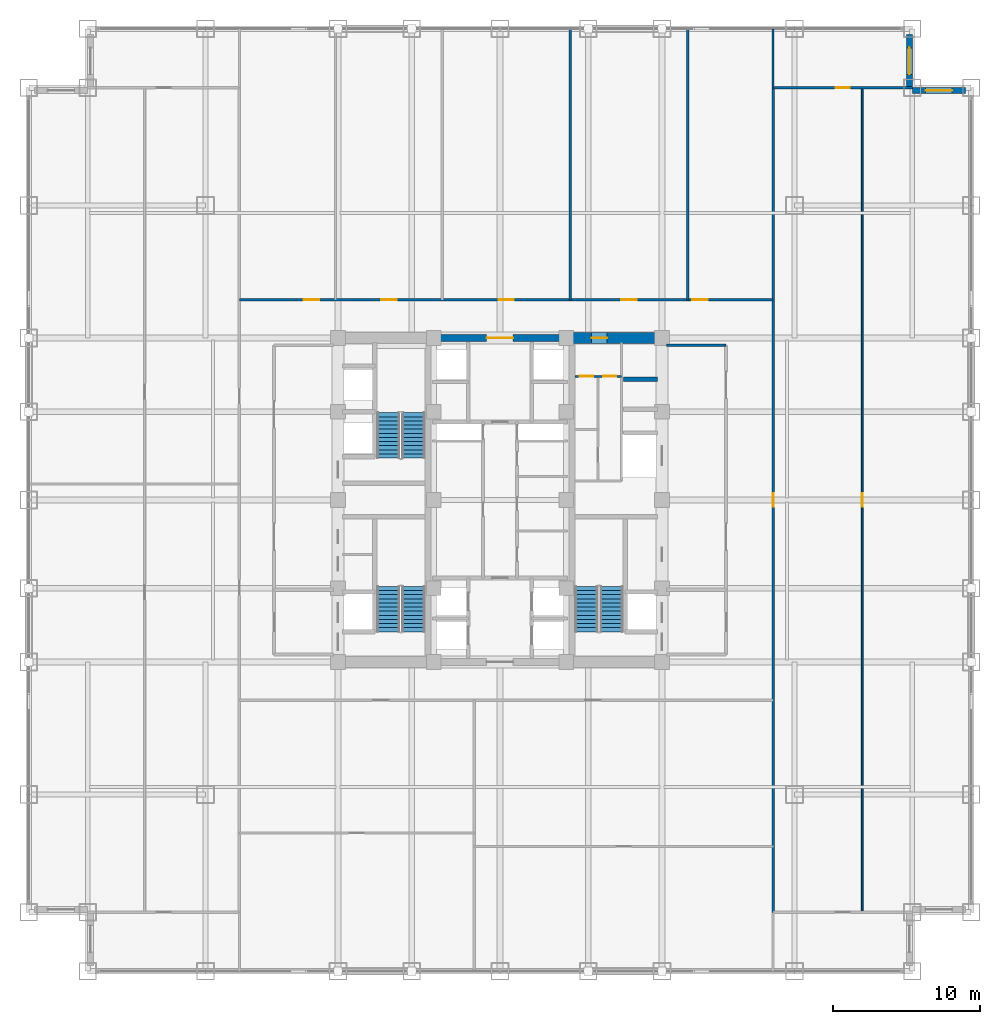
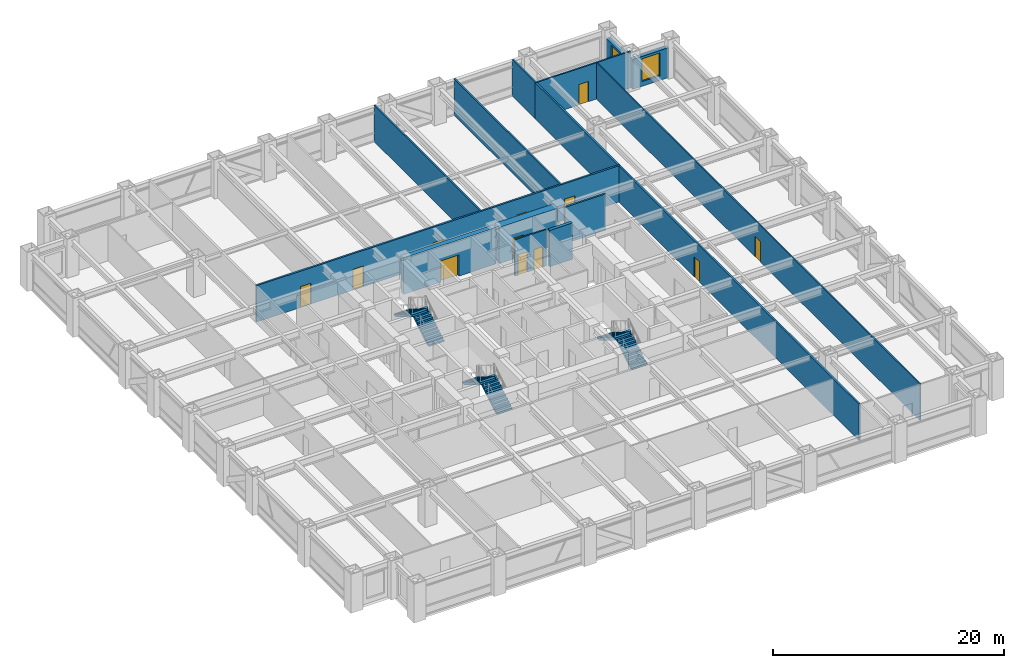
# One storey, part 26 of 27: 14 walls, 12 doors, 6 stair flights, 2 windows, 14 openings, 3 elements without a shape of their own.
"""IFC4 building model written with IfcOpenShell, lengths in metres."""

from ifc_helpers import new_model, si_unit, direction, frame, frame_2d, origin, place, context, subcontext, project, spatial, polyline, rectangle, outline, extrude, source, transform, mapped, material, layer, layer_set, type_object, element, fill, aggregate, save


model = new_model("IFC4")

# Units and contexts
model_context = context("Model", 3, precision=1e-05, world=origin(), true_north=direction((0.0, 1.0)))
body_context = subcontext(model_context, "Body", "Model", "MODEL_VIEW")
ifc_project = project(units=[si_unit("LENGTHUNIT", "METRE"), si_unit("AREAUNIT", "SQUARE_METRE"), si_unit("VOLUMEUNIT", "CUBIC_METRE"), si_unit("PLANEANGLEUNIT", "RADIAN"), si_unit("MASSUNIT", "GRAM", prefix="KILO")], contexts=[model_context])

# Site, building, storey
site_placement = place(None, origin())
site = spatial("IfcSite", under=ifc_project, at=site_placement, CompositionType="ELEMENT")
building_placement = place(site_placement, origin())
building = spatial("IfcBuilding", under=site, at=building_placement, Name="Khorayat Bourse Tower", CompositionType="ELEMENT")
storey_placement = place(building_placement, frame((0.0, 0.0, 140.60009765625)))
storey = spatial("IfcBuildingStorey", under=building, at=storey_placement, Name="L32", CompositionType="ELEMENT", Elevation=140.60009765625)

# Wall, opening, door
ifc_material_1 = material(Name="Concrete C72/90", Category="concrete")
ifc_layer_1 = layer(ifc_material_1, 0.75)
ifc_layer_set_1 = layer_set([ifc_layer_1], Name="Concrete C72/90")
wall_type_1 = type_object("IfcWallType", Name="WAL-CORE-750", PredefinedType="SHEAR", material=ifc_layer_set_1)
shared_shape_1 = source(origin(), body_context, "Body", "SweptSolid", [
    extrude(rectangle(XDim=5.849853515625, YDim=0.75, at=frame_2d((2.9248046875, 0.0))), origin(), (0.0, 0.0, 1.0), 3.83984375),
])
wall_1_placement = place(storey_placement, frame((4.85009765625, 11.0, 0.0), z_axis=(0.0, 0.0, 1.0), x_axis=(1.0, 0.0, 0.0)))
wall_1 = element("IfcWall", 1, at=wall_1_placement, inside=storey, type_object=wall_type_1, Name="L32 Core Shear Wall PIER-EN", PredefinedType="SHEAR", context=body_context, shape_type="MappedRepresentation", body=[
    mapped(shared_shape_1, transform((0.0, 0.0, 0.0), scale=1.0)),
])
shared_shape_2 = source(origin(), body_context, "Body", "SweptSolid", [
    extrude(rectangle(XDim=1.050048828125, YDim=2.199951171875, at=frame_2d((0.52490234375, 1.10009765625))), frame((0.0, 0.385009765625, 0.0), z_axis=(0.0, -1.0, 0.0), x_axis=(1.0, 0.0, 0.0)), (0.0, 0.0, 1.0), 0.77001953125),
])
opening_1_placement = place(wall_1_placement, frame((1.375, 0.0, 0.0)))
opening_1 = element("IfcOpeningElement", 2, at=opening_1_placement, cuts=wall_1, Name="Opening DI-04", PredefinedType="OPENING", context=body_context, shape_type="MappedRepresentation", body=[
    mapped(shared_shape_2, transform((0.0, 0.0, 0.0), scale=1.0)),
])
ifc_material_2 = material(Name="Fire-rated oak veneer suite entrance door")
door_type_1 = type_object("IfcDoorType", Name="DR-INT-SUITE-1050", OperationType="NOTDEFINED", PredefinedType="DOOR", material=ifc_material_2)
shared_shape_3 = source(origin(), body_context, "Body", "SweptSolid", [
    extrude(rectangle(XDim=1.050048828125, YDim=2.199951171875, at=frame_2d((0.52490234375, 1.10009765625))), frame((0.0, 0.02490234375, 0.0), z_axis=(0.0, -1.0, 0.0), x_axis=(1.0, 0.0, 0.0)), (0.0, 0.0, 1.0), 0.050048828125),
])
door_1_placement = place(opening_1_placement, origin())
door_1 = element("IfcDoor", 3, at=door_1_placement, inside=storey, type_object=door_type_1, Name="L32 Core Washroom Lobby Door", OperationType="SINGLE_SWING_LEFT", OverallHeight=2.199951171875, OverallWidth=1.050048828125, PredefinedType="DOOR", context=body_context, shape_type="MappedRepresentation", body=[
    mapped(shared_shape_3, transform((0.0, 0.0, 0.0), scale=1.0)),
])
fill(opening_1, door_1)

ifc_material_3 = material(Name="Concrete C52/65", Category="concrete")
ifc_layer_2 = layer(ifc_material_3, 0.5)
ifc_layer_set_2 = layer_set([ifc_layer_2], Name="Concrete C52/65")
wall_type_2 = type_object("IfcWallType", Name="WAL-CORE-500", PredefinedType="SHEAR", material=ifc_layer_set_2)
shared_shape_4 = source(origin(), body_context, "Body", "SweptSolid", [
    extrude(rectangle(XDim=9.2001953125, YDim=0.5, at=frame_2d((4.60009765625, 0.0))), origin(), (0.0, 0.0, 1.0), 3.83984375),
])
wall_2_placement = place(storey_placement, frame((-4.60009765625, 11.0, 0.0), z_axis=(0.0, 0.0, 1.0), x_axis=(1.0, 0.0, 0.0)))
wall_2 = element("IfcWall", 4, at=wall_2_placement, inside=storey, type_object=wall_type_2, Name="L32 Core Shear Wall CORE-N", PredefinedType="SHEAR", context=body_context, shape_type="MappedRepresentation", body=[
    mapped(shared_shape_4, transform((0.0, 0.0, 0.0), scale=1.0)),
])
shared_shape_5 = source(origin(), body_context, "Body", "SweptSolid", [
    extrude(rectangle(XDim=1.800048828125, YDim=2.25, at=frame_2d((0.89990234375, 1.125))), frame((0.0, 0.260009765625, 0.0), z_axis=(0.0, -1.0, 0.0), x_axis=(1.0, 0.0, 0.0)), (0.0, 0.0, 1.0), 0.52001953125),
])
opening_2_placement = place(wall_2_placement, frame((3.699951171875, 0.0, 0.0)))
opening_2 = element("IfcOpeningElement", 5, at=opening_2_placement, cuts=wall_2, Name="Opening DI-03", PredefinedType="OPENING", context=body_context, shape_type="MappedRepresentation", body=[
    mapped(shared_shape_5, transform((0.0, 0.0, 0.0), scale=1.0)),
])
ifc_material_4 = material(Name="Fire-rated hardwood vision-panel double leaf", Category="wood")
door_type_2 = type_object("IfcDoorType", Name="DR-INT-CORR-1800", OperationType="NOTDEFINED", PredefinedType="DOOR", material=ifc_material_4)
shared_shape_6 = source(origin(), body_context, "Body", "SweptSolid", [
    extrude(rectangle(XDim=1.800048828125, YDim=2.25, at=frame_2d((0.89990234375, 1.125))), frame((0.0, 0.02490234375, 0.0), z_axis=(0.0, -1.0, 0.0), x_axis=(1.0, 0.0, 0.0)), (0.0, 0.0, 1.0), 0.050048828125),
])
door_2_placement = place(opening_2_placement, origin())
door_2 = element("IfcDoor", 6, at=door_2_placement, inside=storey, type_object=door_type_2, Name="L32 Mid-Rise Lift Lobby Door", OperationType="SINGLE_SWING_RIGHT", OverallHeight=2.25, OverallWidth=1.800048828125, PredefinedType="DOOR", context=body_context, shape_type="MappedRepresentation", body=[
    mapped(shared_shape_6, transform((0.0, 0.0, 0.0), scale=1.0)),
])
fill(opening_2, door_2)

# Wall, opening, window
ifc_material_5 = material(Name="Precast concrete C45/55", Category="concrete")
ifc_layer_3 = layer(ifc_material_5, 0.3798828125)
ifc_layer_set_3 = layer_set([ifc_layer_3], Name="Precast concrete C45/55")
wall_type_3 = type_object("IfcWallType", Name="WAL-EXT-STONE-380", PredefinedType="STANDARD", material=ifc_layer_set_3)
shared_shape_7 = source(origin(), body_context, "Body", "SweptSolid", [
    extrude(rectangle(XDim=3.6201171875, YDim=0.3798828125, at=frame_2d((1.81005859375, 0.0))), origin(), (0.0, 0.0, 1.0), 3.14501953125),
])
wall_3_placement = place(storey_placement, frame((28.0, 27.81005859375, 0.0), z_axis=(0.0, 0.0, 1.0), x_axis=(1.0, 0.0, 0.0)))
wall_3 = element("IfcWall", 7, at=wall_3_placement, inside=storey, type_object=wall_type_3, Name="L32 Re-Entrant Notch Limestone Wall NE-H", PredefinedType="STANDARD", context=body_context, shape_type="MappedRepresentation", body=[
    mapped(shared_shape_7, transform((0.0, 0.0, 0.0), scale=1.0)),
])
shared_shape_8 = source(origin(), body_context, "Body", "SweptSolid", [
    extrude(rectangle(XDim=1.800048828125, YDim=2.39990234375, at=frame_2d((0.89990234375, 1.199951171875))), frame((0.0, 0.199951171875, 0.0), z_axis=(0.0, -1.0, 0.0), x_axis=(1.0, 0.0, 0.0)), (0.0, 0.0, 1.0), 0.39990234375),
])
opening_3_placement = place(wall_3_placement, frame((0.909912109375, 0.0, 0.5)))
opening_3 = element("IfcOpeningElement", 8, at=opening_3_placement, cuts=wall_3, Name="Opening WN-04", PredefinedType="OPENING", context=body_context, shape_type="MappedRepresentation", body=[
    mapped(shared_shape_8, transform((0.0, 0.0, 0.0), scale=1.0)),
])
ifc_material_6 = material(Name="Low-E acoustic laminated double glazing", Category="glass")
window_type = type_object("IfcWindowType", Name="WIN-NOTCH-1800x2400", PartitioningType="SINGLE_PANEL", PredefinedType="WINDOW", material=ifc_material_6)
shared_shape_9 = source(origin(), body_context, "Body", "SweptSolid", [
    extrude(rectangle(XDim=1.800048828125, YDim=2.39990234375, at=frame_2d((0.89990234375, 1.199951171875))), frame((0.0, 0.030029296875, 0.0), z_axis=(0.0, -1.0, 0.0), x_axis=(1.0, 0.0, 0.0)), (0.0, 0.0, 1.0), 0.06005859375),
])
window_1_placement = place(opening_3_placement, origin())
window_1 = element("IfcWindow", 9, at=window_1_placement, inside=storey, type_object=window_type, Name="L32 Facade Window 1", OverallHeight=2.39990234375, OverallWidth=1.800048828125, PartitioningType="SINGLE_PANEL", PredefinedType="WINDOW", context=body_context, shape_type="MappedRepresentation", body=[
    mapped(shared_shape_9, transform((0.0, 0.0, 0.0), scale=1.0)),
])
fill(opening_3, window_1)

wall_4_placement = place(storey_placement, frame((27.81005859375, 28.0, 0.0), z_axis=(0.0, 0.0, 1.0), x_axis=(0.0, 1.0, 0.0)))
wall_4 = element("IfcWall", 10, at=wall_4_placement, inside=storey, type_object=wall_type_3, Name="L32 Re-Entrant Notch Limestone Wall NE-V", PredefinedType="STANDARD", context=body_context, shape_type="MappedRepresentation", body=[
    mapped(shared_shape_7, transform((0.0, 0.0, 0.0), scale=1.0)),
])
opening_4_placement = place(wall_4_placement, frame((0.909912109375, 0.0, 0.5)))
opening_4 = element("IfcOpeningElement", 11, at=opening_4_placement, cuts=wall_4, Name="Opening WN-04", PredefinedType="OPENING", context=body_context, shape_type="MappedRepresentation", body=[
    mapped(shared_shape_8, transform((0.0, 0.0, 0.0), scale=1.0)),
])
window_2_placement = place(opening_4_placement, origin())
window_2 = element("IfcWindow", 12, at=window_2_placement, inside=storey, type_object=window_type, Name="L32 Facade Window 1", OverallHeight=2.39990234375, OverallWidth=1.800048828125, PartitioningType="SINGLE_PANEL", PredefinedType="WINDOW", context=body_context, shape_type="MappedRepresentation", body=[
    mapped(shared_shape_9, transform((0.0, 0.0, 0.0), scale=1.0)),
])
fill(opening_4, window_2)

# Wall
ifc_material_7 = material(Name="Concrete C50/60", Category="concrete")
ifc_layer_4 = layer(ifc_material_7, 0.300048828125)
ifc_layer_set_4 = layer_set([ifc_layer_4], Name="Concrete C50/60")
wall_type_4 = type_object("IfcWallType", Name="WAL-SHAFT-300", PredefinedType="SHEAR", material=ifc_layer_set_4)
shared_shape_10 = source(origin(), body_context, "Body", "SweptSolid", [
    extrude(rectangle(XDim=2.300048828125, YDim=0.300048828125, at=frame_2d((1.14990234375, 0.0))), origin(), (0.0, 0.0, 1.0), 3.83984375),
])
wall_5_placement = place(storey_placement, frame((8.39990234375, 8.199951171875, 0.0), z_axis=(0.0, 0.0, 1.0), x_axis=(1.0, 0.0, 0.0)))
element("IfcWall", 13, at=wall_5_placement, inside=storey, type_object=wall_type_4, Name="L32 Partition WAL-L32-EPIER-H34", PredefinedType="SHEAR", context=body_context, shape_type="MappedRepresentation", body=[
    mapped(shared_shape_10, transform((0.0, 0.0, 0.0), scale=1.0)),
])

# Wall, openings, doors
ifc_material_8 = material(Name="Moisture-resistant masonry partition", Category="masonry")
ifc_layer_5 = layer(ifc_material_8, 0.139892578125)
ifc_layer_set_5 = layer_set([ifc_layer_5], Name="Moisture-resistant masonry partition")
wall_type_5 = type_object("IfcWallType", Name="WAL-PART-WET-140", PredefinedType="PARTITIONING", material=ifc_layer_set_5)
shared_shape_11 = source(origin(), body_context, "Body", "SweptSolid", [
    extrude(rectangle(XDim=3.14990234375, YDim=0.139892578125, at=frame_2d((1.574951171875, 0.0))), origin(), (0.0, 0.0, 1.0), 3.83984375),
])
wall_6_placement = place(storey_placement, frame((5.10009765625, 8.39990234375, 0.0), z_axis=(0.0, 0.0, 1.0), x_axis=(1.0, 0.0, 0.0)))
wall_6 = element("IfcWall", 14, at=wall_6_placement, inside=storey, type_object=wall_type_5, Name="L32 Partition WAL-L32-ECW-TOP", PredefinedType="PARTITIONING", context=body_context, shape_type="MappedRepresentation", body=[
    mapped(shared_shape_11, transform((0.0, 0.0, 0.0), scale=1.0)),
])
shared_shape_12 = source(origin(), body_context, "Body", "SweptSolid", [
    extrude(rectangle(XDim=0.89990234375, YDim=2.14990234375, at=frame_2d((0.449951171875, 1.074951171875))), frame((0.0, 0.079833984375, 0.0), z_axis=(0.0, -1.0, 0.0), x_axis=(1.0, 0.0, 0.0)), (0.0, 0.0, 1.0), 0.159912109375),
])
opening_5_placement = place(wall_6_placement, frame((0.330078125, 0.0, 0.0)))
opening_5 = element("IfcOpeningElement", 15, at=opening_5_placement, cuts=wall_6, Name="Opening DI-06", PredefinedType="OPENING", context=body_context, shape_type="MappedRepresentation", body=[
    mapped(shared_shape_12, transform((0.0, 0.0, 0.0), scale=1.0)),
])
opening_6_placement = place(wall_6_placement, frame((1.89990234375, 0.0, 0.0)))
opening_6 = element("IfcOpeningElement", 16, at=opening_6_placement, cuts=wall_6, Name="Opening DI-06", PredefinedType="OPENING", context=body_context, shape_type="MappedRepresentation", body=[
    mapped(shared_shape_12, transform((0.0, 0.0, 0.0), scale=1.0)),
])
ifc_material_9 = material(Name="Moisture-resistant laminate washroom door")
door_type_3 = type_object("IfcDoorType", Name="DR-INT-WC-900", OperationType="NOTDEFINED", PredefinedType="DOOR", material=ifc_material_9)
shared_shape_13 = source(origin(), body_context, "Body", "SweptSolid", [
    extrude(rectangle(XDim=0.89990234375, YDim=2.14990234375, at=frame_2d((0.449951171875, 1.074951171875))), frame((0.0, 0.02490234375, 0.0), z_axis=(0.0, -1.0, 0.0), x_axis=(1.0, 0.0, 0.0)), (0.0, 0.0, 1.0), 0.050048828125),
])
door_3_placement = place(opening_5_placement, origin())
door_3 = element("IfcDoor", 17, at=door_3_placement, inside=storey, type_object=door_type_3, Name="L32 Accessible WC Door", OperationType="SINGLE_SWING_LEFT", OverallHeight=2.14990234375, OverallWidth=0.89990234375, PredefinedType="DOOR", context=body_context, shape_type="MappedRepresentation", body=[
    mapped(shared_shape_13, transform((0.0, 0.0, 0.0), scale=1.0)),
])
fill(opening_5, door_3)
door_4_placement = place(opening_6_placement, origin())
door_4 = element("IfcDoor", 18, at=door_4_placement, inside=storey, type_object=door_type_3, Name="L32 Shared Washroom Door", OperationType="SINGLE_SWING_RIGHT", OverallHeight=2.14990234375, OverallWidth=0.89990234375, PredefinedType="DOOR", context=body_context, shape_type="MappedRepresentation", body=[
    mapped(shared_shape_13, transform((0.0, 0.0, 0.0), scale=1.0)),
])
fill(opening_6, door_4)

# Walls
ifc_material_10 = material(Name="Gypsum plasterboard acoustic stud wall")
ifc_layer_6 = layer(ifc_material_10, 0.179931640625)
ifc_layer_set_6 = layer_set([ifc_layer_6], Name="Gypsum plasterboard acoustic stud wall")
wall_type_6 = type_object("IfcWallType", Name="WAL-PART-CORR-180", PredefinedType="PARTITIONING", material=ifc_layer_set_6)
shared_shape_14 = source(origin(), body_context, "Body", "SweptSolid", [
    extrude(rectangle(XDim=4.050048828125, YDim=0.179931640625, at=frame_2d((2.02490234375, 0.0))), origin(), (0.0, 0.0, 1.0), 3.83984375),
])
wall_7_placement = place(storey_placement, frame((11.300048828125, 10.5, 0.0), z_axis=(0.0, 0.0, 1.0), x_axis=(1.0, 0.0, 0.0)))
element("IfcWall", 19, at=wall_7_placement, inside=storey, type_object=wall_type_6, Name="L32 Partition WAL-L32-ELOB-N", PredefinedType="PARTITIONING", context=body_context, shape_type="MappedRepresentation", body=[
    mapped(shared_shape_14, transform((0.0, 0.0, 0.0), scale=1.0)),
])
ifc_material_11 = material(Name="Gypsum plasterboard twin-frame partition")
ifc_layer_7 = layer(ifc_material_11, 0.14990234375)
ifc_layer_set_7 = layer_set([ifc_layer_7], Name="Gypsum plasterboard twin-frame partition")
wall_type_7 = type_object("IfcWallType", Name="WAL-PART-SUITE-150", PredefinedType="PARTITIONING", material=ifc_layer_set_7)
shared_shape_15 = source(origin(), body_context, "Body", "SweptSolid", [
    extrude(rectangle(XDim=4.0, YDim=0.14990234375, at=frame_2d((2.0, 0.0))), origin(), (0.0, 0.0, 1.0), 3.83984375),
])
wall_8_placement = place(storey_placement, frame((18.550048828125, 28.0, 0.0), z_axis=(0.0, 0.0, 1.0), x_axis=(0.0, 1.0, 0.0)))
element("IfcWall", 20, at=wall_8_placement, inside=storey, type_object=wall_type_7, Name="L32 Partition WAL-L32-NCE-END", PredefinedType="PARTITIONING", context=body_context, shape_type="MappedRepresentation", body=[
    mapped(shared_shape_15, transform((0.0, 0.0, 0.0), scale=1.0)),
])

# Wall, opening, door
shared_shape_16 = source(origin(), body_context, "Body", "SweptSolid", [
    extrude(rectangle(XDim=56.0, YDim=0.179931640625, at=frame_2d((28.0, 0.0))), origin(), (0.0, 0.0, 1.0), 3.83984375),
])
wall_9_placement = place(storey_placement, frame((18.550048828125, -28.0, 0.0), z_axis=(0.0, 0.0, 1.0), x_axis=(0.0, 1.0, 0.0)))
wall_9 = element("IfcWall", 21, at=wall_9_placement, inside=storey, type_object=wall_type_6, Name="L32 Partition WAL-L32-ECORR", PredefinedType="PARTITIONING", context=body_context, shape_type="MappedRepresentation", body=[
    mapped(shared_shape_16, transform((0.0, 0.0, 0.0), scale=1.0)),
])
shared_shape_17 = source(origin(), body_context, "Body", "SweptSolid", [
    extrude(rectangle(XDim=0.949951171875, YDim=2.14990234375, at=frame_2d((0.47509765625, 1.074951171875))), frame((0.0, 0.099853515625, 0.0), z_axis=(0.0, -1.0, 0.0), x_axis=(1.0, 0.0, 0.0)), (0.0, 0.0, 1.0), 0.199951171875),
])
opening_7_placement = place(wall_9_placement, frame((27.52490234375, 0.0, 0.0)))
opening_7 = element("IfcOpeningElement", 22, at=opening_7_placement, cuts=wall_9, Name="Opening DI-05", PredefinedType="OPENING", context=body_context, shape_type="MappedRepresentation", body=[
    mapped(shared_shape_17, transform((0.0, 0.0, 0.0), scale=1.0)),
])
ifc_material_12 = material(Name="Acoustic oak veneer office door")
door_type_4 = type_object("IfcDoorType", Name="DR-INT-OFFICE-950", OperationType="NOTDEFINED", PredefinedType="DOOR", material=ifc_material_12)
shared_shape_18 = source(origin(), body_context, "Body", "SweptSolid", [
    extrude(rectangle(XDim=0.949951171875, YDim=2.14990234375, at=frame_2d((0.47509765625, 1.074951171875))), frame((0.0, 0.02490234375, 0.0), z_axis=(0.0, -1.0, 0.0), x_axis=(1.0, 0.0, 0.0)), (0.0, 0.0, 1.0), 0.050048828125),
])
door_5_placement = place(opening_7_placement, origin())
door_5 = element("IfcDoor", 23, at=door_5_placement, inside=storey, type_object=door_type_4, Name="L32 Clearing Operations Office E1 Door", OperationType="SINGLE_SWING_RIGHT", OverallHeight=2.14990234375, OverallWidth=0.949951171875, PredefinedType="DOOR", context=body_context, shape_type="MappedRepresentation", body=[
    mapped(shared_shape_18, transform((0.0, 0.0, 0.0), scale=1.0)),
])
fill(opening_7, door_5)

# Walls
shared_shape_19 = source(origin(), body_context, "Body", "SweptSolid", [
    extrude(rectangle(XDim=18.39990234375, YDim=0.14990234375, at=frame_2d((9.199951171875, 0.0))), origin(), (0.0, 0.0, 1.0), 3.83984375),
])
for number, where, z_axis, x_axis, name in (
    (24, (4.77490234375, 13.60009765625, 0.0), (0.0, 0.0, 1.0), (0.0, 1.0, 0.0), "L32 Partition WAL-L32-NDV-3"),
    (25, (12.75, 13.60009765625, 0.0), (0.0, 0.0, 1.0), (0.0, 1.0, 0.0), "L32 Partition WAL-L32-NDV-4"),
):
    element("IfcWall", number, at=place(storey_placement, frame(where, z_axis=z_axis, x_axis=x_axis)), inside=storey, type_object=wall_type_7, Name=name, PredefinedType="PARTITIONING", context=body_context, shape_type="MappedRepresentation", body=[
        mapped(shared_shape_19, transform((0.0, 0.0, 0.0), scale=1.0)),
    ])

# Wall, openings, doors
shared_shape_20 = source(origin(), body_context, "Body", "SweptSolid", [
    extrude(rectangle(XDim=36.25, YDim=0.179931640625, at=frame_2d((18.125, 0.0))), origin(), (0.0, 0.0, 1.0), 3.83984375),
])
wall_10_placement = place(storey_placement, frame((-17.699951171875, 13.60009765625, 0.0), z_axis=(0.0, 0.0, 1.0), x_axis=(1.0, 0.0, 0.0)))
wall_10 = element("IfcWall", 26, at=wall_10_placement, inside=storey, type_object=wall_type_6, Name="L32 Partition WAL-L32-NCORR", PredefinedType="PARTITIONING", context=body_context, shape_type="MappedRepresentation", body=[
    mapped(shared_shape_20, transform((0.0, 0.0, 0.0), scale=1.0)),
])
shared_shape_21 = source(origin(), body_context, "Body", "SweptSolid", [
    extrude(rectangle(XDim=1.050048828125, YDim=2.199951171875, at=frame_2d((0.52490234375, 1.10009765625))), frame((0.0, 0.099853515625, 0.0), z_axis=(0.0, -1.0, 0.0), x_axis=(1.0, 0.0, 0.0)), (0.0, 0.0, 1.0), 0.199951171875),
])
opening_8_placement = place(wall_10_placement, frame((4.387451171875, 0.0, 0.0)))
opening_8 = element("IfcOpeningElement", 27, at=opening_8_placement, cuts=wall_10, Name="Opening DI-04", PredefinedType="OPENING", context=body_context, shape_type="MappedRepresentation", body=[
    mapped(shared_shape_21, transform((0.0, 0.0, 0.0), scale=1.0)),
])
opening_9_placement = place(wall_10_placement, frame((9.625, 0.0, 0.0)))
opening_9 = element("IfcOpeningElement", 28, at=opening_9_placement, cuts=wall_10, Name="Opening DI-04", PredefinedType="OPENING", context=body_context, shape_type="MappedRepresentation", body=[
    mapped(shared_shape_21, transform((0.0, 0.0, 0.0), scale=1.0)),
])
opening_10_placement = place(wall_10_placement, frame((17.60009765625, 0.0, 0.0)))
opening_10 = element("IfcOpeningElement", 29, at=opening_10_placement, cuts=wall_10, Name="Opening DI-04", PredefinedType="OPENING", context=body_context, shape_type="MappedRepresentation", body=[
    mapped(shared_shape_21, transform((0.0, 0.0, 0.0), scale=1.0)),
])
opening_11_placement = place(wall_10_placement, frame((25.9375, 0.0, 0.0)))
opening_11 = element("IfcOpeningElement", 30, at=opening_11_placement, cuts=wall_10, Name="Opening DI-04", PredefinedType="OPENING", context=body_context, shape_type="MappedRepresentation", body=[
    mapped(shared_shape_21, transform((0.0, 0.0, 0.0), scale=1.0)),
])
opening_12_placement = place(wall_10_placement, frame((30.75, 0.0, 0.0)))
opening_12 = element("IfcOpeningElement", 31, at=opening_12_placement, cuts=wall_10, Name="Opening DI-04", PredefinedType="OPENING", context=body_context, shape_type="MappedRepresentation", body=[
    mapped(shared_shape_21, transform((0.0, 0.0, 0.0), scale=1.0)),
])
door_6_placement = place(opening_8_placement, origin())
door_6 = element("IfcDoor", 32, at=door_6_placement, inside=storey, type_object=door_type_1, Name="L32 Financial Training Classroom N1 Door", OperationType="SINGLE_SWING_RIGHT", OverallHeight=2.199951171875, OverallWidth=1.050048828125, PredefinedType="DOOR", context=body_context, shape_type="MappedRepresentation", body=[
    mapped(shared_shape_3, transform((0.0, 0.0, 0.0), scale=1.0)),
])
fill(opening_8, door_6)
door_7_placement = place(opening_9_placement, origin())
door_7 = element("IfcDoor", 33, at=door_7_placement, inside=storey, type_object=door_type_1, Name="L32 Brokerage Seminar Room N2 Door", OperationType="SINGLE_SWING_LEFT", OverallHeight=2.199951171875, OverallWidth=1.050048828125, PredefinedType="DOOR", context=body_context, shape_type="MappedRepresentation", body=[
    mapped(shared_shape_3, transform((0.0, 0.0, 0.0), scale=1.0)),
])
fill(opening_9, door_7)
door_8_placement = place(opening_10_placement, origin())
door_8 = element("IfcDoor", 34, at=door_8_placement, inside=storey, type_object=door_type_1, Name="L32 Market Reference Library N3 Door", OperationType="SINGLE_SWING_RIGHT", OverallHeight=2.199951171875, OverallWidth=1.050048828125, PredefinedType="DOOR", context=body_context, shape_type="MappedRepresentation", body=[
    mapped(shared_shape_3, transform((0.0, 0.0, 0.0), scale=1.0)),
])
fill(opening_10, door_8)
door_9_placement = place(opening_11_placement, origin())
door_9 = element("IfcDoor", 35, at=door_9_placement, inside=storey, type_object=door_type_1, Name="L32 Issuer Listing Showroom N4 Door", OperationType="SINGLE_SWING_LEFT", OverallHeight=2.199951171875, OverallWidth=1.050048828125, PredefinedType="DOOR", context=body_context, shape_type="MappedRepresentation", body=[
    mapped(shared_shape_3, transform((0.0, 0.0, 0.0), scale=1.0)),
])
fill(opening_11, door_9)
door_10_placement = place(opening_12_placement, origin())
door_10 = element("IfcDoor", 36, at=door_10_placement, inside=storey, type_object=door_type_1, Name="L32 Staff Tea Pantry N5 Door", OperationType="SINGLE_SWING_RIGHT", OverallHeight=2.199951171875, OverallWidth=1.050048828125, PredefinedType="DOOR", context=body_context, shape_type="MappedRepresentation", body=[
    mapped(shared_shape_3, transform((0.0, 0.0, 0.0), scale=1.0)),
])
fill(opening_12, door_10)

# Wall, opening, door
shared_shape_22 = source(origin(), body_context, "Body", "SweptSolid", [
    extrude(rectangle(XDim=9.449951171875, YDim=0.14990234375, at=frame_2d((4.72509765625, 0.0))), origin(), (0.0, 0.0, 1.0), 3.83984375),
])
wall_11_placement = place(storey_placement, frame((18.550048828125, 28.0, 0.0), z_axis=(0.0, 0.0, 1.0), x_axis=(1.0, 0.0, 0.0)))
wall_11 = element("IfcWall", 37, at=wall_11_placement, inside=storey, type_object=wall_type_7, Name="L32 Partition WAL-L32-CNE", PredefinedType="PARTITIONING", context=body_context, shape_type="MappedRepresentation", body=[
    mapped(shared_shape_22, transform((0.0, 0.0, 0.0), scale=1.0)),
])
shared_shape_23 = source(origin(), body_context, "Body", "SweptSolid", [
    extrude(rectangle(XDim=0.949951171875, YDim=2.14990234375, at=frame_2d((0.47509765625, 1.074951171875))), frame((0.0, 0.0849609375, 0.0), z_axis=(0.0, -1.0, 0.0), x_axis=(1.0, 0.0, 0.0)), (0.0, 0.0, 1.0), 0.169921875),
])
opening_13_placement = place(wall_11_placement, frame((4.25, 0.0, 0.0)))
opening_13 = element("IfcOpeningElement", 38, at=opening_13_placement, cuts=wall_11, Name="Opening DI-05", PredefinedType="OPENING", context=body_context, shape_type="MappedRepresentation", body=[
    mapped(shared_shape_23, transform((0.0, 0.0, 0.0), scale=1.0)),
])
door_11_placement = place(opening_13_placement, origin())
door_11 = element("IfcDoor", 39, at=door_11_placement, inside=storey, type_object=door_type_4, Name="L32 North-East Corner Lounge Door", OperationType="SINGLE_SWING_LEFT", OverallHeight=2.14990234375, OverallWidth=0.949951171875, PredefinedType="DOOR", context=body_context, shape_type="MappedRepresentation", body=[
    mapped(shared_shape_18, transform((0.0, 0.0, 0.0), scale=1.0)),
])
fill(opening_13, door_11)

ifc_material_13 = material(Name="Gypsum plasterboard partition")
ifc_layer_8 = layer(ifc_material_13, 0.125)
ifc_layer_set_8 = layer_set([ifc_layer_8], Name="Gypsum plasterboard partition")
wall_type_8 = type_object("IfcWallType", Name="WAL-PART-ROOM-125", PredefinedType="PARTITIONING", material=ifc_layer_set_8)
shared_shape_24 = source(origin(), body_context, "Body", "SweptSolid", [
    extrude(rectangle(XDim=56.0, YDim=0.125, at=frame_2d((28.0, 0.0))), origin(), (0.0, 0.0, 1.0), 3.83984375),
])
wall_12_placement = place(storey_placement, frame((24.6025390625, -28.0, 0.0), z_axis=(0.0, 0.0, 1.0), x_axis=(0.0, 1.0, 0.0)))
wall_12 = element("IfcWall", 40, at=wall_12_placement, inside=storey, type_object=wall_type_8, Name="L32 Partition WAL-L32-EDP-1", PredefinedType="PARTITIONING", context=body_context, shape_type="MappedRepresentation", body=[
    mapped(shared_shape_24, transform((0.0, 0.0, 0.0), scale=1.0)),
])
shared_shape_25 = source(origin(), body_context, "Body", "SweptSolid", [
    extrude(rectangle(XDim=0.949951171875, YDim=2.14990234375, at=frame_2d((0.47509765625, 1.074951171875))), frame((0.0, 0.072509765625, 0.0), z_axis=(0.0, -1.0, 0.0), x_axis=(1.0, 0.0, 0.0)), (0.0, 0.0, 1.0), 0.14501953125),
])
opening_14_placement = place(wall_12_placement, frame((27.52490234375, 0.0, 0.0)))
opening_14 = element("IfcOpeningElement", 41, at=opening_14_placement, cuts=wall_12, Name="Opening DI-05", PredefinedType="OPENING", context=body_context, shape_type="MappedRepresentation", body=[
    mapped(shared_shape_25, transform((0.0, 0.0, 0.0), scale=1.0)),
])
door_12_placement = place(opening_14_placement, origin())
door_12 = element("IfcDoor", 42, at=door_12_placement, inside=storey, type_object=door_type_4, Name="L32 Market Risk Analytics Workspace E1B Door", OperationType="SINGLE_SWING_RIGHT", OverallHeight=2.14990234375, OverallWidth=0.949951171875, PredefinedType="DOOR", context=body_context, shape_type="MappedRepresentation", body=[
    mapped(shared_shape_18, transform((0.0, 0.0, 0.0), scale=1.0)),
])
fill(opening_14, door_12)

# Stair, stair flights
ifc_material_14 = material(Name="Concrete C40/50", Category="concrete")
stair_type = type_object("IfcStairType", Name="STR-CORE-1550", PredefinedType="HALF_TURN_STAIR", material=ifc_material_14)
stair_1_placement = place(storey_placement, origin())
stair_1 = element("IfcStair", 43, at=stair_1_placement, inside=storey, type_object=stair_type, Name="L32 Exit Stair ST-1", PredefinedType="HALF_TURN_STAIR")
stair_flight_type = type_object("IfcStairFlightType", Name="FLT-CORE-1550", PredefinedType="STRAIGHT", material=ifc_material_14)
shared_shape_26 = source(origin(), body_context, "Body", "SweptSolid", [
    extrude(outline(polyline([(0.0, 0.0), (0.0, 0.1708984375), (0.280029296875, 0.1708984375), (0.280029296875, 0.341552734375), (0.56005859375, 0.341552734375), (0.56005859375, 0.512451171875), (0.840087890625, 0.512451171875), (0.840087890625, 0.683349609375), (1.1201171875, 0.683349609375), (1.1201171875, 0.854248046875), (1.39990234375, 0.854248046875), (1.39990234375, 1.02490234375), (1.679931640625, 1.02490234375), (1.679931640625, 1.19580078125), (1.9599609375, 1.19580078125), (1.9599609375, 1.36669921875), (2.239990234375, 1.36669921875), (2.239990234375, 1.53759765625), (2.52001953125, 1.53759765625), (2.52001953125, 1.708251953125), (2.800048828125, 1.708251953125), (2.800048828125, 1.879150390625), (3.080078125, 1.879150390625), (3.080078125, 2.050048828125), (3.080078125, 1.66845703125), (0.345458984375, 0.0), (0.0, 0.0)])), frame((0.0, 0.77490234375, 0.0), z_axis=(0.0, -1.0, 0.0), x_axis=(1.0, 0.0, 0.0)), (0.0, 0.0, 1.0), 1.550048828125),
])
stair_flight_1_placement = place(storey_placement, frame((-5.875, -8.949951171875, 0.0), z_axis=(0.0, 0.0, 1.0), x_axis=(0.0, 1.0, 0.0)))
stair_flight_1 = element("IfcStairFlight", 44, at=stair_flight_1_placement, type_object=stair_flight_type, Name="ST-1 flight 1", NumberOfRisers=12, NumberOfTreads=11, PredefinedType="STRAIGHT", RiserHeight=0.170833333, TreadLength=0.28, context=body_context, shape_type="MappedRepresentation", body=[
    mapped(shared_shape_26, transform((0.0, 0.0, 0.0), scale=1.0)),
])
stair_flight_2_placement = place(storey_placement, frame((-7.574951171875, -5.8701171875, 2.0498046875), z_axis=(0.0, 0.0, 1.0), x_axis=(0.0, -1.0, 0.0)))
stair_flight_2 = element("IfcStairFlight", 45, at=stair_flight_2_placement, type_object=stair_flight_type, Name="ST-1 flight 2", NumberOfRisers=12, NumberOfTreads=11, PredefinedType="STRAIGHT", RiserHeight=0.170833333, TreadLength=0.28, context=body_context, shape_type="MappedRepresentation", body=[
    mapped(shared_shape_26, transform((0.0, 0.0, 0.0), scale=1.0)),
])
aggregate(stair_1, [stair_flight_1, stair_flight_2])

stair_2_placement = place(storey_placement, origin())
stair_2 = element("IfcStair", 46, at=stair_2_placement, inside=storey, type_object=stair_type, Name="L32 Exit Stair ST-2", PredefinedType="HALF_TURN_STAIR")
stair_flight_3_placement = place(storey_placement, frame((-5.875, 2.85009765625, 0.0), z_axis=(0.0, 0.0, 1.0), x_axis=(0.0, 1.0, 0.0)))
stair_flight_3 = element("IfcStairFlight", 47, at=stair_flight_3_placement, type_object=stair_flight_type, Name="ST-2 flight 1", NumberOfRisers=12, NumberOfTreads=11, PredefinedType="STRAIGHT", RiserHeight=0.170833333, TreadLength=0.28, context=body_context, shape_type="MappedRepresentation", body=[
    mapped(shared_shape_26, transform((0.0, 0.0, 0.0), scale=1.0)),
])
stair_flight_4_placement = place(storey_placement, frame((-7.574951171875, 5.929931640625, 2.0498046875), z_axis=(0.0, 0.0, 1.0), x_axis=(0.0, -1.0, 0.0)))
stair_flight_4 = element("IfcStairFlight", 48, at=stair_flight_4_placement, type_object=stair_flight_type, Name="ST-2 flight 2", NumberOfRisers=12, NumberOfTreads=11, PredefinedType="STRAIGHT", RiserHeight=0.170833333, TreadLength=0.28, context=body_context, shape_type="MappedRepresentation", body=[
    mapped(shared_shape_26, transform((0.0, 0.0, 0.0), scale=1.0)),
])
aggregate(stair_2, [stair_flight_3, stair_flight_4])

stair_3_placement = place(storey_placement, origin())
stair_3 = element("IfcStair", 49, at=stair_3_placement, inside=storey, type_object=stair_type, Name="L32 Exit Stair ST-3", PredefinedType="HALF_TURN_STAIR")
stair_flight_5_placement = place(storey_placement, frame((7.574951171875, -8.949951171875, 0.0), z_axis=(0.0, 0.0, 1.0), x_axis=(0.0, 1.0, 0.0)))
stair_flight_5 = element("IfcStairFlight", 50, at=stair_flight_5_placement, type_object=stair_flight_type, Name="ST-3 flight 1", NumberOfRisers=12, NumberOfTreads=11, PredefinedType="STRAIGHT", RiserHeight=0.170833333, TreadLength=0.28, context=body_context, shape_type="MappedRepresentation", body=[
    mapped(shared_shape_26, transform((0.0, 0.0, 0.0), scale=1.0)),
])
stair_flight_6_placement = place(storey_placement, frame((5.875, -5.8701171875, 2.0498046875), z_axis=(0.0, 0.0, 1.0), x_axis=(0.0, -1.0, 0.0)))
stair_flight_6 = element("IfcStairFlight", 51, at=stair_flight_6_placement, type_object=stair_flight_type, Name="ST-3 flight 2", NumberOfRisers=12, NumberOfTreads=11, PredefinedType="STRAIGHT", RiserHeight=0.170833333, TreadLength=0.28, context=body_context, shape_type="MappedRepresentation", body=[
    mapped(shared_shape_26, transform((0.0, 0.0, 0.0), scale=1.0)),
])
aggregate(stair_3, [stair_flight_5, stair_flight_6])

save(model, "model.ifc")
